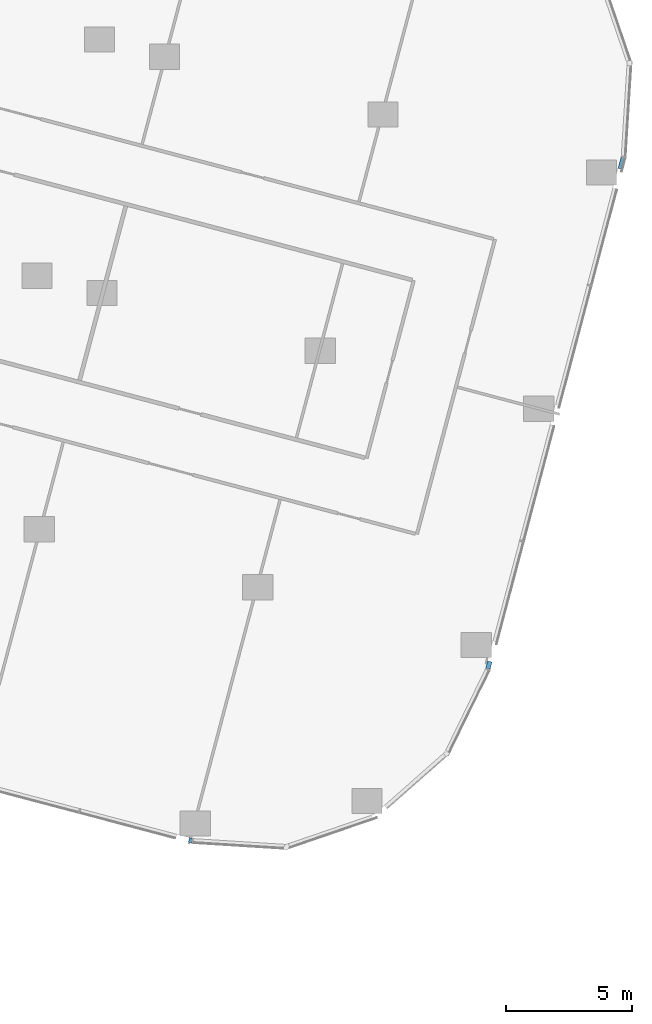
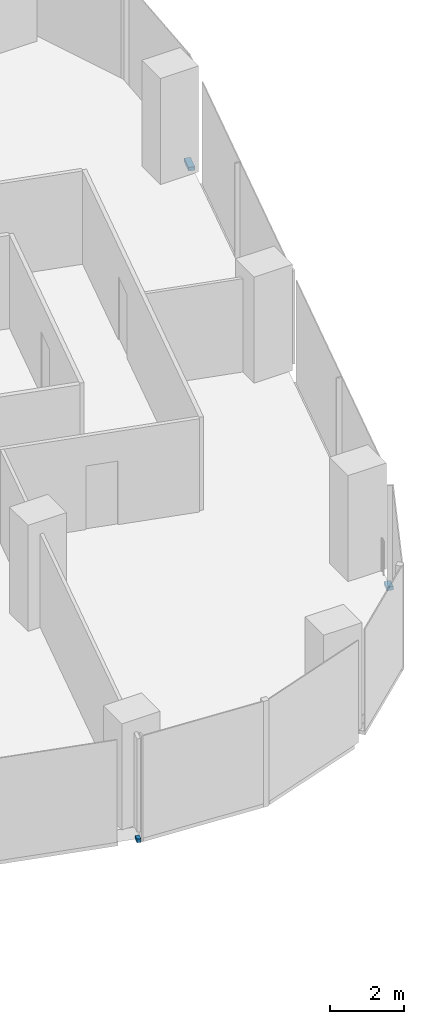
# One storey, part 17 of 34: 3 members, 2 elements without a shape of their own.
"""IFC4 building model written with IfcOpenShell, lengths in metres."""

from ifc_helpers import new_model, si_unit, direction, frame, origin, origin_2d, place, context, subcontext, project, spatial, rectangle, extrude, material, material_profile, profile_set, type_object, element, aggregate, save


model = new_model("IFC4")

# Units and contexts
model_context = context("Model", 3, precision=1e-05, world=origin(), true_north=direction((0.0, 1.0)))
body_context = subcontext(model_context, "Body", "Model", "MODEL_VIEW")
ifc_project = project(units=[si_unit("LENGTHUNIT", "METRE"), si_unit("AREAUNIT", "SQUARE_METRE"), si_unit("VOLUMEUNIT", "CUBIC_METRE"), si_unit("PLANEANGLEUNIT", "RADIAN"), si_unit("MASSUNIT", "GRAM", prefix="KILO")], contexts=[model_context])

# Site, building, storey
site_placement = place(None, origin())
site = spatial("IfcSite", under=ifc_project, at=site_placement, CompositionType="ELEMENT")
building_placement = place(site_placement, origin())
building = spatial("IfcBuilding", under=site, at=building_placement, Name="Orlundy Tower", CompositionType="ELEMENT")
storey_placement = place(building_placement, frame((0.0, 0.0, 112.699951171875)))
storey = spatial("IfcBuildingStorey", under=building, at=storey_placement, Name="L28", CompositionType="ELEMENT", Elevation=112.699951171875)

# Curtain wall, member
ifc_material_1 = material(Name="Aluminium bronze anodised", Category="aluminium")
curtain_wall_type = type_object("IfcCurtainWallType", Name="CW1 wall", PredefinedType="NOTDEFINED", material=ifc_material_1)
curtain_wall_1_placement = place(storey_placement, origin())
curtain_wall_1 = element("IfcCurtainWall", 1, at=curtain_wall_1_placement, inside=storey, type_object=curtain_wall_type, Name="CW1 run 00", PredefinedType="NOTDEFINED")
ifc_material_2 = material(Name="Aluminium bronze anodised", Category="aluminium")
ifc_material_profile = material_profile(ifc_material_2, rectangle(XDim=0.179931640625, YDim=0.1201171875, at=origin_2d()), Name="CW1 transom 180x120")
ifc_profile_set = profile_set([ifc_material_profile], Name="Aluminium bronze anodised")
member_type = type_object("IfcMemberType", Name="CW1 transom 180x120", PredefinedType="USERDEFINED", material=ifc_profile_set)
member_1_placement = place(storey_placement, frame((44.141357421875, -32.472900390625, -0.33984375), z_axis=(-0.966857319322, 0.255317300773, 0.0), x_axis=(-0.255317300773, -0.966857319322, 0.0)))
member_1 = element("IfcMember", 2, at=member_1_placement, type_object=member_type, Name="CW1 transom", ObjectType="TRANSOM", PredefinedType="USERDEFINED", context=body_context, shape_type="SweptSolid", body=[
    extrude(rectangle(XDim=0.179931640625, YDim=0.1201171875, at=origin_2d()), origin(), (0.0, 0.0, 1.0), 0.11669921875),
])
aggregate(curtain_wall_1, [member_1])

# Curtain wall, members
curtain_wall_2_placement = place(storey_placement, origin())
curtain_wall_2 = element("IfcCurtainWall", 3, at=curtain_wall_2_placement, inside=storey, type_object=curtain_wall_type, Name="CW1 run 023", PredefinedType="NOTDEFINED")
member_2_placement = place(storey_placement, frame((61.2548828125, -5.376708984375, -0.33984375), z_axis=(-0.256111169733, -0.966647334211, 0.0), x_axis=(0.966647334211, -0.256111169733, 0.0)))
member_2 = element("IfcMember", 4, at=member_2_placement, type_object=member_type, Name="CW1 transom", ObjectType="TRANSOM", PredefinedType="USERDEFINED", context=body_context, shape_type="SweptSolid", body=[
    extrude(rectangle(XDim=0.179931640625, YDim=0.1201171875, at=origin_2d()), origin(), (0.0, 0.0, 1.0), 0.46044921875),
])
member_3_placement = place(storey_placement, frame((55.96240234375, -25.362060546875, -0.33984375), z_axis=(-0.255801248584, -0.966729394, 0.0), x_axis=(0.966729394, -0.255801248584, 0.0)))
member_3 = element("IfcMember", 5, at=member_3_placement, type_object=member_type, Name="CW1 transom", ObjectType="TRANSOM", PredefinedType="USERDEFINED", context=body_context, shape_type="SweptSolid", body=[
    extrude(rectangle(XDim=0.179931640625, YDim=0.1201171875, at=origin_2d()), origin(), (0.0, 0.0, 1.0), 0.2939453125),
])
aggregate(curtain_wall_2, [member_2, member_3])

save(model, "model.ifc")
